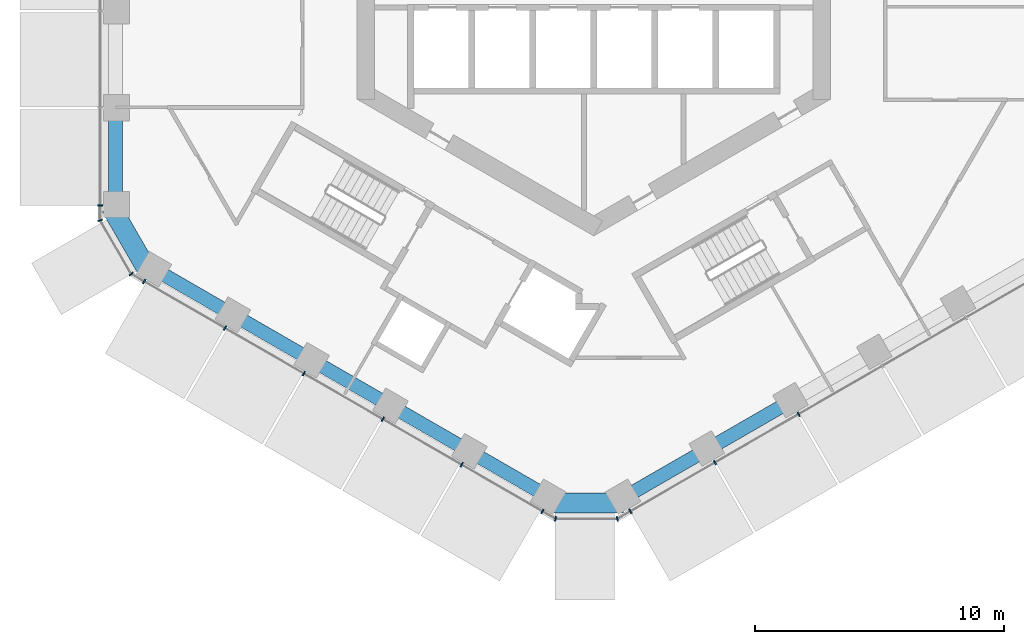
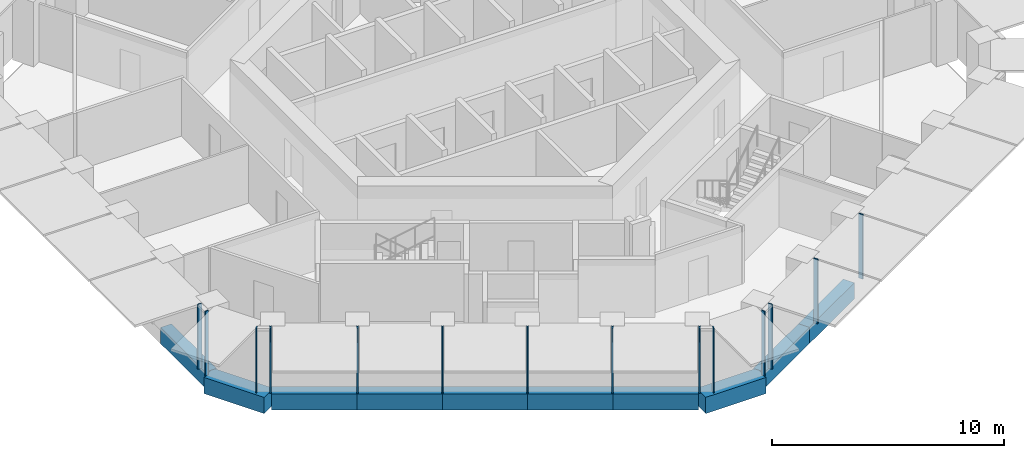
# One storey, part 2 of 19: 14 members, 10 beams, 5 elements without a shape of their own.
"""IFC4 building model written with IfcOpenShell, lengths in metres."""

from ifc_helpers import new_model, si_unit, direction, frame, origin, origin_2d, place, context, subcontext, project, spatial, rectangle, extrude, material, layer, layer_set, material_profile, profile_set, type_object, element, aggregate, save


model = new_model("IFC4")

# Units and contexts
model_context = context("Model", 3, precision=1e-05, world=origin(), true_north=direction((0.0, 1.0)))
body_context = subcontext(model_context, "Body", "Model", "MODEL_VIEW")
ifc_project = project(units=[si_unit("LENGTHUNIT", "METRE"), si_unit("AREAUNIT", "SQUARE_METRE"), si_unit("VOLUMEUNIT", "CUBIC_METRE"), si_unit("PLANEANGLEUNIT", "RADIAN"), si_unit("MASSUNIT", "GRAM", prefix="KILO")], contexts=[model_context])

# Site, building, storey
site_placement = place(None, origin())
site = spatial("IfcSite", under=ifc_project, at=site_placement, CompositionType="ELEMENT")
building_placement = place(site_placement, origin())
building = spatial("IfcBuilding", under=site, at=building_placement, Name="Ayvan Gate Tower", CompositionType="ELEMENT")
storey_placement = place(building_placement, frame((0.0, 0.0, 100.10009765625)))
storey = spatial("IfcBuildingStorey", under=building, at=storey_placement, Name="L26", CompositionType="ELEMENT", Elevation=100.10009765625)

# Beams
ifc_material_1 = material(Name="Concrete C40/50", Category="concrete")
ifc_material_profile_1 = material_profile(ifc_material_1, rectangle(XDim=0.800048828125, YDim=0.85009765625, at=origin_2d()), Name="RC 800x850")
ifc_profile_set_1 = profile_set([ifc_material_profile_1], Name="Concrete C40/50")
beam_type_1 = type_object("IfcBeamType", Name="Corner spandrel beam RC 800x850 C40/50", PredefinedType="BEAM", material=ifc_profile_set_1)
for number, where, z_axis, x_axis, name in (
    (1, (-19.392822265625, -9.79150390625, -0.775146484375), (0.499990139034, -0.866031096941, 0.0), (0.866031096941, 0.499990139034, 0.0), "SB-L26-24"),
    (2, (-1.783203125, -21.6904296875, -0.775146484375), (1.0, 0.0, 0.0), (0.0, 1.0, 0.0), "SB-L26-30"),
):
    element("IfcBeam", number, at=place(storey_placement, frame(where, z_axis=z_axis, x_axis=x_axis)), inside=storey, type_object=beam_type_1, Name=name, PredefinedType="BEAM", context=body_context, shape_type="SweptSolid", body=[
        extrude(rectangle(XDim=0.800048828125, YDim=0.85009765625, at=origin_2d()), origin(), (0.0, 0.0, 1.0), 3.0),
    ])
ifc_material_profile_2 = material_profile(ifc_material_1, rectangle(XDim=0.550048828125, YDim=0.85009765625, at=origin_2d()), Name="RC 550x850")
ifc_profile_set_2 = profile_set([ifc_material_profile_2], Name="Concrete C40/50")
beam_type_2 = type_object("IfcBeamType", Name="Spandrel beam RC 550x850 C40/50", PredefinedType="BEAM", material=ifc_profile_set_2)
beam_1_placement = place(storey_placement, frame((-19.202392578125, -5.808837890625, -0.775146484375), z_axis=(0.0, -1.0, 0.0), x_axis=(1.0, 0.0, 0.0)))
element("IfcBeam", 3, at=beam_1_placement, inside=storey, type_object=beam_type_2, Name="SB-L26-23", PredefinedType="BEAM", context=body_context, shape_type="SweptSolid", body=[
    extrude(rectangle(XDim=0.550048828125, YDim=0.85009765625, at=origin_2d()), origin(), (0.0, 0.0, 1.0), 3.87255859375),
])
for number, where, z_axis, x_axis, name in (
    (4, (-17.702392578125, -12.279541015625, -0.775146484375), (0.866031869728, -0.49998880049, 0.0), (0.49998880049, 0.866031869728, 0.0), "SB-L26-25"),
    (5, (-14.5185546875, -14.11767578125, -0.775146484375), (0.866031869728, -0.49998880049, 0.0), (0.49998880049, 0.866031869728, 0.0), "SB-L26-26"),
):
    element("IfcBeam", number, at=place(storey_placement, frame(where, z_axis=z_axis, x_axis=x_axis)), inside=storey, type_object=beam_type_2, Name=name, PredefinedType="BEAM", context=body_context, shape_type="SweptSolid", body=[
        extrude(rectangle(XDim=0.550048828125, YDim=0.85009765625, at=origin_2d()), origin(), (0.0, 0.0, 1.0), 3.67626953125),
    ])
beam_2_placement = place(storey_placement, frame((-11.334716796875, -15.955810546875, -0.775146484375), z_axis=(0.866003114002, -0.500038605048, 0.0), x_axis=(0.500038605048, 0.866003114002, 0.0)))
element("IfcBeam", 6, at=beam_2_placement, inside=storey, type_object=beam_type_2, Name="SB-L26-27", PredefinedType="BEAM", context=body_context, shape_type="SweptSolid", body=[
    extrude(rectangle(XDim=0.550048828125, YDim=0.85009765625, at=origin_2d()), origin(), (0.0, 0.0, 1.0), 3.676513671875),
])
for number, where, z_axis, x_axis, name in (
    (7, (-8.15087890625, -17.794189453125, -0.775146484375), (0.866031869728, -0.49998880049, 0.0), (0.49998880049, 0.866031869728, 0.0), "SB-L26-28"),
    (8, (-4.967041015625, -19.63232421875, -0.775146484375), (0.866031869728, -0.49998880049, 0.0), (0.49998880049, 0.866031869728, 0.0), "SB-L26-29"),
):
    element("IfcBeam", number, at=place(storey_placement, frame(where, z_axis=z_axis, x_axis=x_axis)), inside=storey, type_object=beam_type_2, Name=name, PredefinedType="BEAM", context=body_context, shape_type="SweptSolid", body=[
        extrude(rectangle(XDim=0.550048828125, YDim=0.85009765625, at=origin_2d()), origin(), (0.0, 0.0, 1.0), 3.67626953125),
    ])
for number, where, z_axis, x_axis, name in (
    (9, (1.216796875, -21.470458984375, -0.775146484375), (0.866027059381, 0.499997132412, 0.0), (-0.499997132412, 0.866027059381, 0.0), "SB-L26-31"),
    (10, (4.570556640625, -19.5341796875, -0.775146484375), (0.866027059381, 0.499997132412, 0.0), (-0.499997132412, 0.866027059381, 0.0), "SB-L26-32"),
):
    element("IfcBeam", number, at=place(storey_placement, frame(where, z_axis=z_axis, x_axis=x_axis)), inside=storey, type_object=beam_type_2, Name=name, PredefinedType="BEAM", context=body_context, shape_type="SweptSolid", body=[
        extrude(rectangle(XDim=0.550048828125, YDim=0.85009765625, at=origin_2d()), origin(), (0.0, 0.0, 1.0), 3.87255859375),
    ])

# Curtain wall, member
ifc_material_2 = material(Name="Bronze anodised aluminium", Category="aluminium")
ifc_layer_1 = layer(ifc_material_2, 0.199951171875)
ifc_layer_set_1 = layer_set([ifc_layer_1], Name="Bronze anodised aluminium")
curtain_wall_type_1 = type_object("IfcCurtainWallType", Name="Stick curtain wall CW-1", PredefinedType="NOTDEFINED", material=ifc_layer_set_1)
curtain_wall_1_placement = place(storey_placement, origin())
curtain_wall_1 = element("IfcCurtainWall", 11, at=curtain_wall_1_placement, inside=storey, type_object=curtain_wall_type_1, Name="Stick curtain wall CW-1 L26", PredefinedType="NOTDEFINED")
ifc_material_profile_3 = material_profile(ifc_material_2, rectangle(XDim=0.199951171875, YDim=0.06005859375, at=origin_2d()), Name="Stick curtain wall CW-1 mullion 200 x 60")
ifc_profile_set_3 = profile_set([ifc_material_profile_3], Name="Bronze anodised aluminium")
member_type_1 = type_object("IfcMemberType", Name="Stick curtain wall CW-1 mullion 200 x 60", PredefinedType="MULLION", material=ifc_profile_set_3)
member_1_placement = place(storey_placement, frame((-19.813720703125, -9.741455078125, 0.0), z_axis=(0.0, 0.0, 1.0), x_axis=(-1.0, 0.0, 0.0)))
member_1 = element("IfcMember", 12, at=member_1_placement, type_object=member_type_1, Name="CW-1 mullion 6", PredefinedType="MULLION", context=body_context, shape_type="SweptSolid", body=[
    extrude(rectangle(XDim=0.199951171875, YDim=0.06005859375, at=origin_2d()), origin(), (0.0, 0.0, 1.0), 3.39990234375),
])
aggregate(curtain_wall_1, [member_1])

# Curtain wall, members
curtain_wall_2_placement = place(storey_placement, origin())
curtain_wall_2 = element("IfcCurtainWall", 13, at=curtain_wall_2_placement, inside=storey, type_object=curtain_wall_type_1, Name="Stick curtain wall CW-1 L26", PredefinedType="NOTDEFINED")
member_2_placement = place(storey_placement, frame((-18.046630859375, -12.802490234375, 0.0), z_axis=(0.0, 0.0, 1.0), x_axis=(-0.5, -0.866025403784, 0.0)))
member_2 = element("IfcMember", 14, at=member_2_placement, type_object=member_type_1, Name="CW-1 mullion 1", PredefinedType="MULLION", context=body_context, shape_type="SweptSolid", body=[
    extrude(rectangle(XDim=0.199951171875, YDim=0.06005859375, at=origin_2d()), origin(), (0.0, 0.0, 1.0), 3.39990234375),
])
member_3_placement = place(storey_placement, frame((-14.80517578125, -14.674072265625, 0.0), z_axis=(0.0, 0.0, 1.0), x_axis=(-0.5, -0.866025403784, 0.0)))
member_3 = element("IfcMember", 15, at=member_3_placement, type_object=member_type_1, Name="CW-1 mullion 2", PredefinedType="MULLION", context=body_context, shape_type="SweptSolid", body=[
    extrude(rectangle(XDim=0.199951171875, YDim=0.06005859375, at=origin_2d()), origin(), (0.0, 0.0, 1.0), 3.39990234375),
])
member_4_placement = place(storey_placement, frame((-11.638916015625, -16.501953125, 0.0), z_axis=(0.0, 0.0, 1.0), x_axis=(-0.5, -0.866025403784, 0.0)))
member_4 = element("IfcMember", 16, at=member_4_placement, type_object=member_type_1, Name="CW-1 mullion 3", PredefinedType="MULLION", context=body_context, shape_type="SweptSolid", body=[
    extrude(rectangle(XDim=0.199951171875, YDim=0.06005859375, at=origin_2d()), origin(), (0.0, 0.0, 1.0), 3.39990234375),
])
member_5_placement = place(storey_placement, frame((-8.471923828125, -18.33056640625, 0.0), z_axis=(0.0, 0.0, 1.0), x_axis=(-0.5, -0.866025403784, 0.0)))
member_5 = element("IfcMember", 17, at=member_5_placement, type_object=member_type_1, Name="CW-1 mullion 4", PredefinedType="MULLION", context=body_context, shape_type="SweptSolid", body=[
    extrude(rectangle(XDim=0.199951171875, YDim=0.06005859375, at=origin_2d()), origin(), (0.0, 0.0, 1.0), 3.39990234375),
])
member_6_placement = place(storey_placement, frame((-5.3056640625, -20.158447265625, 0.0), z_axis=(0.0, 0.0, 1.0), x_axis=(-0.5, -0.866025403784, 0.0)))
member_6 = element("IfcMember", 18, at=member_6_placement, type_object=member_type_1, Name="CW-1 mullion 5", PredefinedType="MULLION", context=body_context, shape_type="SweptSolid", body=[
    extrude(rectangle(XDim=0.199951171875, YDim=0.06005859375, at=origin_2d()), origin(), (0.0, 0.0, 1.0), 3.39990234375),
])
member_7_placement = place(storey_placement, frame((-2.06396484375, -22.030029296875, 0.0), z_axis=(0.0, 0.0, 1.0), x_axis=(-0.5, -0.866025403784, 0.0)))
member_7 = element("IfcMember", 19, at=member_7_placement, type_object=member_type_1, Name="CW-1 mullion 6", PredefinedType="MULLION", context=body_context, shape_type="SweptSolid", body=[
    extrude(rectangle(XDim=0.199951171875, YDim=0.06005859375, at=origin_2d()), origin(), (0.0, 0.0, 1.0), 3.39990234375),
])
aggregate(curtain_wall_2, [member_2, member_3, member_4, member_5, member_6, member_7])

curtain_wall_3_placement = place(storey_placement, origin())
curtain_wall_3 = element("IfcCurtainWall", 20, at=curtain_wall_3_placement, inside=storey, type_object=curtain_wall_type_1, Name="Stick curtain wall CW-1 L26", PredefinedType="NOTDEFINED")
member_8_placement = place(storey_placement, frame((1.470458984375, -22.030029296875, 0.0), z_axis=(0.0, 0.0, 1.0), x_axis=(0.5, -0.866025403784, 0.0)))
member_8 = element("IfcMember", 21, at=member_8_placement, type_object=member_type_1, Name="CW-1 mullion 1", PredefinedType="MULLION", context=body_context, shape_type="SweptSolid", body=[
    extrude(rectangle(XDim=0.199951171875, YDim=0.06005859375, at=origin_2d()), origin(), (0.0, 0.0, 1.0), 3.39990234375),
])
member_9_placement = place(storey_placement, frame((4.863525390625, -20.071044921875, 0.0), z_axis=(0.0, 0.0, 1.0), x_axis=(0.5, -0.866025403784, 0.0)))
member_9 = element("IfcMember", 22, at=member_9_placement, type_object=member_type_1, Name="CW-1 mullion 2", PredefinedType="MULLION", context=body_context, shape_type="SweptSolid", body=[
    extrude(rectangle(XDim=0.199951171875, YDim=0.06005859375, at=origin_2d()), origin(), (0.0, 0.0, 1.0), 3.39990234375),
])
member_10_placement = place(storey_placement, frame((8.2255859375, -18.130126953125, 0.0), z_axis=(0.0, 0.0, 1.0), x_axis=(0.5, -0.866025403784, 0.0)))
member_10 = element("IfcMember", 23, at=member_10_placement, type_object=member_type_1, Name="CW-1 mullion 3", PredefinedType="MULLION", context=body_context, shape_type="SweptSolid", body=[
    extrude(rectangle(XDim=0.199951171875, YDim=0.06005859375, at=origin_2d()), origin(), (0.0, 0.0, 1.0), 3.39990234375),
])
aggregate(curtain_wall_3, [member_8, member_9, member_10])

ifc_layer_2 = layer(ifc_material_2, 0.199951171875)
ifc_layer_set_2 = layer_set([ifc_layer_2], Name="Bronze anodised aluminium")
curtain_wall_type_2 = type_object("IfcCurtainWallType", Name="Stick curtain wall CW-6", PredefinedType="NOTDEFINED", material=ifc_layer_set_2)
curtain_wall_4_placement = place(storey_placement, origin())
curtain_wall_4 = element("IfcCurtainWall", 24, at=curtain_wall_4_placement, inside=storey, type_object=curtain_wall_type_2, Name="Stick curtain wall CW-6 L26", PredefinedType="NOTDEFINED")
ifc_material_profile_4 = material_profile(ifc_material_2, rectangle(XDim=0.199951171875, YDim=0.050048828125, at=origin_2d()), Name="Stick curtain wall CW-6 mullion 200 x 50")
ifc_profile_set_4 = profile_set([ifc_material_profile_4], Name="Bronze anodised aluminium")
member_type_2 = type_object("IfcMemberType", Name="Stick curtain wall CW-6 mullion 200 x 50", PredefinedType="MULLION", material=ifc_profile_set_4)
member_11_placement = place(storey_placement, frame((-19.813720703125, -10.346435546875, 0.0), z_axis=(0.0, 0.0, 1.0), x_axis=(-0.965925826289, -0.258819045103, 0.0)))
member_11 = element("IfcMember", 25, at=member_11_placement, type_object=member_type_2, Name="CW-6 mullion 2", PredefinedType="MULLION", context=body_context, shape_type="SweptSolid", body=[
    extrude(rectangle(XDim=0.199951171875, YDim=0.050048828125, at=origin_2d()), origin(), (0.0, 0.0, 1.0), 3.39990234375),
])
member_12_placement = place(storey_placement, frame((-18.570556640625, -12.5, 0.0), z_axis=(0.0, 0.0, 1.0), x_axis=(-0.707106781187, -0.707106781187, 0.0)))
member_12 = element("IfcMember", 26, at=member_12_placement, type_object=member_type_2, Name="CW-6 mullion 3", PredefinedType="MULLION", context=body_context, shape_type="SweptSolid", body=[
    extrude(rectangle(XDim=0.199951171875, YDim=0.050048828125, at=origin_2d()), origin(), (0.0, 0.0, 1.0), 3.39990234375),
])
aggregate(curtain_wall_4, [member_11, member_12])

curtain_wall_5_placement = place(storey_placement, origin())
curtain_wall_5 = element("IfcCurtainWall", 27, at=curtain_wall_5_placement, inside=storey, type_object=curtain_wall_type_2, Name="Stick curtain wall CW-6 L26", PredefinedType="NOTDEFINED")
member_13_placement = place(storey_placement, frame((-1.5400390625, -22.33251953125, 0.0), z_axis=(0.0, 0.0, 1.0), x_axis=(-0.258819045103, -0.965925826289, 0.0)))
member_13 = element("IfcMember", 28, at=member_13_placement, type_object=member_type_2, Name="CW-6 mullion 2", PredefinedType="MULLION", context=body_context, shape_type="SweptSolid", body=[
    extrude(rectangle(XDim=0.199951171875, YDim=0.050048828125, at=origin_2d()), origin(), (0.0, 0.0, 1.0), 3.39990234375),
])
member_14_placement = place(storey_placement, frame((0.946533203125, -22.33251953125, 0.0), z_axis=(0.0, 0.0, 1.0), x_axis=(0.258819045103, -0.965925826289, 0.0)))
member_14 = element("IfcMember", 29, at=member_14_placement, type_object=member_type_2, Name="CW-6 mullion 3", PredefinedType="MULLION", context=body_context, shape_type="SweptSolid", body=[
    extrude(rectangle(XDim=0.199951171875, YDim=0.050048828125, at=origin_2d()), origin(), (0.0, 0.0, 1.0), 3.39990234375),
])
aggregate(curtain_wall_5, [member_13, member_14])

save(model, "model.ifc")
